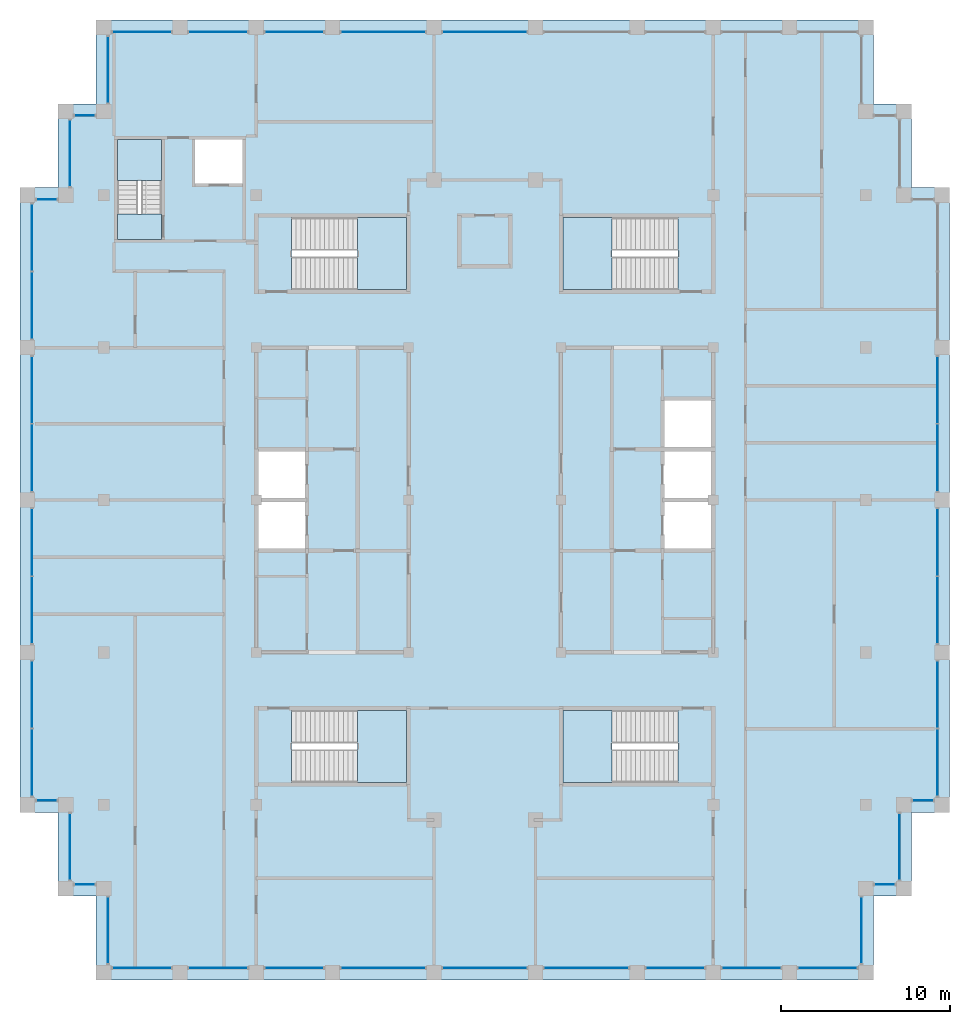
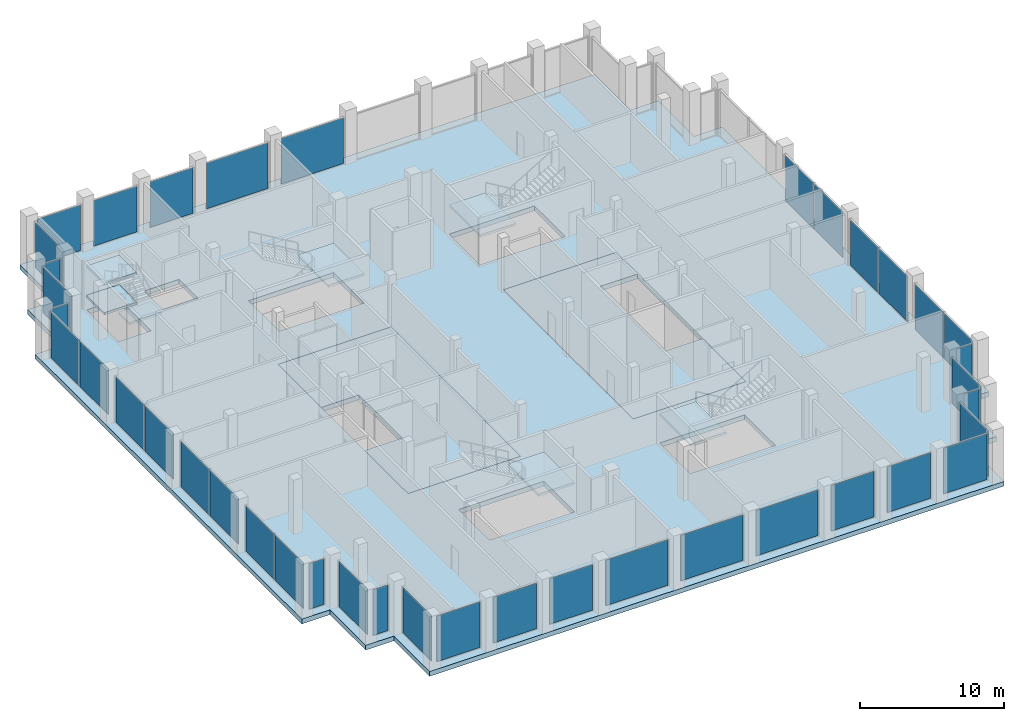
# One storey, part 6 of 12: 40 plates, 10 slabs, 38 elements without a shape of their own.
"""IFC4 building model written with IfcOpenShell, lengths in metres."""

from ifc_helpers import new_model, si_unit, direction, frame, origin, origin_2d, place, context, subcontext, project, spatial, polyline, rectangle, outline, extrude, material, layer, layer_set, type_object, element, aggregate, save


model = new_model("IFC4")

# Units and contexts
model_context = context("Model", 3, precision=1e-05, world=origin(), true_north=direction((0.0, 1.0)))
body_context = subcontext(model_context, "Body", "Model", "MODEL_VIEW")
ifc_project = project(units=[si_unit("LENGTHUNIT", "METRE"), si_unit("AREAUNIT", "SQUARE_METRE"), si_unit("VOLUMEUNIT", "CUBIC_METRE"), si_unit("PLANEANGLEUNIT", "RADIAN"), si_unit("MASSUNIT", "GRAM", prefix="KILO")], contexts=[model_context])

# Site, building, storey
site_placement = place(None, origin())
site = spatial("IfcSite", under=ifc_project, at=site_placement, CompositionType="ELEMENT")
building_placement = place(site_placement, origin())
building = spatial("IfcBuilding", under=site, at=building_placement, Name="Corbelhall Arena Tower", CompositionType="ELEMENT")
storey_placement = place(building_placement, frame((0.0, 0.0, 356.0)))
storey = spatial("IfcBuildingStorey", under=building, at=storey_placement, Name="L78", CompositionType="ELEMENT", Elevation=356.0)

# Curtain wall, plate
ifc_material_1 = material(Name="Aluminium black anodised", Category="aluminium")
ifc_layer_1 = layer(ifc_material_1, 0.179931640625)
ifc_layer_set_1 = layer_set([ifc_layer_1], Name="EV-CW3 Crown glazing")
curtain_wall_type = type_object("IfcCurtainWallType", Name="EV-CW3 Crown glazing", PredefinedType="NOTDEFINED", material=ifc_layer_set_1)
curtain_wall_1_placement = place(storey_placement, origin())
curtain_wall_1 = element("IfcCurtainWall", 1, at=curtain_wall_1_placement, inside=storey, type_object=curtain_wall_type, Name="Curtain wall CW3", PredefinedType="NOTDEFINED")
ifc_material_2 = material(Name="Glass dark tinted laminated", Category="glass")
ifc_layer_2 = layer(ifc_material_2, 0.028076171875)
ifc_layer_set_2 = layer_set([ifc_layer_2], Name="EV-CW3-PANEL")
plate_type = type_object("IfcPlateType", Name="EV-CW3-PANEL", PredefinedType="CURTAIN_PANEL", material=ifc_layer_set_2)
plate_1_placement = place(storey_placement, frame((-24.5, 20.47509765625, 0.074951171875), z_axis=(0.0, 0.0, 1.0), x_axis=(0.0, -1.0, 0.0)))
plate_1 = element("IfcPlate", 2, at=plate_1_placement, type_object=plate_type, Name="CW3 panel 1.1", PredefinedType="CURTAIN_PANEL", context=body_context, shape_type="SweptSolid", body=[
    extrude(rectangle(XDim=3.89990234375, YDim=0.028076171875, at=origin_2d()), origin(), (0.0, 0.0, 1.0), 3.849609375),
])
aggregate(curtain_wall_1, [plate_1])

curtain_wall_2_placement = place(storey_placement, origin())
curtain_wall_2 = element("IfcCurtainWall", 3, at=curtain_wall_2_placement, inside=storey, type_object=curtain_wall_type, Name="Curtain wall CW3B", PredefinedType="NOTDEFINED")
plate_2_placement = place(storey_placement, frame((-25.875, 17.75, 0.074951171875), z_axis=(0.0, 0.0, 1.0), x_axis=(-1.0, 0.0, 0.0)))
plate_2 = element("IfcPlate", 4, at=plate_2_placement, type_object=plate_type, Name="CW3B panel 1.1", PredefinedType="CURTAIN_PANEL", context=body_context, shape_type="SweptSolid", body=[
    extrude(rectangle(XDim=1.199951171875, YDim=0.028076171875, at=origin_2d()), origin(), (0.0, 0.0, 1.0), 3.849609375),
])
aggregate(curtain_wall_2, [plate_2])

# Curtain wall, plates
curtain_wall_3_placement = place(storey_placement, origin())
curtain_wall_3 = element("IfcCurtainWall", 5, at=curtain_wall_3_placement, inside=storey, type_object=curtain_wall_type, Name="Curtain wall CW3", PredefinedType="NOTDEFINED")
plate_3_placement = place(storey_placement, frame((-26.75, 15.50634765625, 0.074951171875), z_axis=(0.0, 0.0, 1.0), x_axis=(0.0, -1.0, 0.0)))
plate_3 = element("IfcPlate", 6, at=plate_3_placement, type_object=plate_type, Name="CW3 panel 1.1", PredefinedType="CURTAIN_PANEL", context=body_context, shape_type="SweptSolid", body=[
    extrude(rectangle(XDim=3.9375, YDim=0.028076171875, at=origin_2d()), origin(), (0.0, 0.0, 1.0), 3.849609375),
])
plate_4_placement = place(storey_placement, frame((-26.75, 11.49365234375, 0.074951171875), z_axis=(0.0, 0.0, 1.0), x_axis=(0.0, -1.0, 0.0)))
plate_4 = element("IfcPlate", 7, at=plate_4_placement, type_object=plate_type, Name="CW3 panel 2.1", PredefinedType="CURTAIN_PANEL", context=body_context, shape_type="SweptSolid", body=[
    extrude(rectangle(XDim=3.9375, YDim=0.028076171875, at=origin_2d()), origin(), (0.0, 0.0, 1.0), 3.849609375),
])
aggregate(curtain_wall_3, [plate_3, plate_4])

curtain_wall_4_placement = place(storey_placement, origin())
curtain_wall_4 = element("IfcCurtainWall", 8, at=curtain_wall_4_placement, inside=storey, type_object=curtain_wall_type, Name="Curtain wall CW3", PredefinedType="NOTDEFINED")
plate_5_placement = place(storey_placement, frame((-26.75, 6.50634765625, 0.074951171875), z_axis=(0.0, 0.0, 1.0), x_axis=(0.0, -1.0, 0.0)))
plate_5 = element("IfcPlate", 9, at=plate_5_placement, type_object=plate_type, Name="CW3 panel 1.1", PredefinedType="CURTAIN_PANEL", context=body_context, shape_type="SweptSolid", body=[
    extrude(rectangle(XDim=3.9375, YDim=0.028076171875, at=origin_2d()), origin(), (0.0, 0.0, 1.0), 3.849609375),
])
plate_6_placement = place(storey_placement, frame((-26.75, 2.49365234375, 0.074951171875), z_axis=(0.0, 0.0, 1.0), x_axis=(0.0, -1.0, 0.0)))
plate_6 = element("IfcPlate", 10, at=plate_6_placement, type_object=plate_type, Name="CW3 panel 2.1", PredefinedType="CURTAIN_PANEL", context=body_context, shape_type="SweptSolid", body=[
    extrude(rectangle(XDim=3.9375, YDim=0.028076171875, at=origin_2d()), origin(), (0.0, 0.0, 1.0), 3.849609375),
])
aggregate(curtain_wall_4, [plate_5, plate_6])

curtain_wall_5_placement = place(storey_placement, origin())
curtain_wall_5 = element("IfcCurtainWall", 11, at=curtain_wall_5_placement, inside=storey, type_object=curtain_wall_type, Name="Curtain wall CW3", PredefinedType="NOTDEFINED")
plate_7_placement = place(storey_placement, frame((-26.75, -2.49365234375, 0.074951171875), z_axis=(0.0, 0.0, 1.0), x_axis=(0.0, -1.0, 0.0)))
plate_7 = element("IfcPlate", 12, at=plate_7_placement, type_object=plate_type, Name="CW3 panel 1.1", PredefinedType="CURTAIN_PANEL", context=body_context, shape_type="SweptSolid", body=[
    extrude(rectangle(XDim=3.9375, YDim=0.028076171875, at=origin_2d()), origin(), (0.0, 0.0, 1.0), 3.849609375),
])
plate_8_placement = place(storey_placement, frame((-26.75, -6.50634765625, 0.074951171875), z_axis=(0.0, 0.0, 1.0), x_axis=(0.0, -1.0, 0.0)))
plate_8 = element("IfcPlate", 13, at=plate_8_placement, type_object=plate_type, Name="CW3 panel 2.1", PredefinedType="CURTAIN_PANEL", context=body_context, shape_type="SweptSolid", body=[
    extrude(rectangle(XDim=3.9375, YDim=0.028076171875, at=origin_2d()), origin(), (0.0, 0.0, 1.0), 3.849609375),
])
aggregate(curtain_wall_5, [plate_7, plate_8])

curtain_wall_6_placement = place(storey_placement, origin())
curtain_wall_6 = element("IfcCurtainWall", 14, at=curtain_wall_6_placement, inside=storey, type_object=curtain_wall_type, Name="Curtain wall CW3", PredefinedType="NOTDEFINED")
plate_9_placement = place(storey_placement, frame((-26.75, -11.49365234375, 0.074951171875), z_axis=(0.0, 0.0, 1.0), x_axis=(0.0, -1.0, 0.0)))
plate_9 = element("IfcPlate", 15, at=plate_9_placement, type_object=plate_type, Name="CW3 panel 1.1", PredefinedType="CURTAIN_PANEL", context=body_context, shape_type="SweptSolid", body=[
    extrude(rectangle(XDim=3.9375, YDim=0.028076171875, at=origin_2d()), origin(), (0.0, 0.0, 1.0), 3.849609375),
])
plate_10_placement = place(storey_placement, frame((-26.75, -15.50634765625, 0.074951171875), z_axis=(0.0, 0.0, 1.0), x_axis=(0.0, -1.0, 0.0)))
plate_10 = element("IfcPlate", 16, at=plate_10_placement, type_object=plate_type, Name="CW3 panel 2.1", PredefinedType="CURTAIN_PANEL", context=body_context, shape_type="SweptSolid", body=[
    extrude(rectangle(XDim=3.9375, YDim=0.028076171875, at=origin_2d()), origin(), (0.0, 0.0, 1.0), 3.849609375),
])
aggregate(curtain_wall_6, [plate_9, plate_10])

# Curtain wall, plate
curtain_wall_7_placement = place(storey_placement, origin())
curtain_wall_7 = element("IfcCurtainWall", 17, at=curtain_wall_7_placement, inside=storey, type_object=curtain_wall_type, Name="Curtain wall CW3B", PredefinedType="NOTDEFINED")
plate_11_placement = place(storey_placement, frame((-25.875, -17.75, 0.074951171875), z_axis=(0.0, 0.0, 1.0), x_axis=(1.0, 0.0, 0.0)))
plate_11 = element("IfcPlate", 18, at=plate_11_placement, type_object=plate_type, Name="CW3B panel 1.1", PredefinedType="CURTAIN_PANEL", context=body_context, shape_type="SweptSolid", body=[
    extrude(rectangle(XDim=1.199951171875, YDim=0.028076171875, at=origin_2d()), origin(), (0.0, 0.0, 1.0), 3.849609375),
])
aggregate(curtain_wall_7, [plate_11])

curtain_wall_8_placement = place(storey_placement, origin())
curtain_wall_8 = element("IfcCurtainWall", 19, at=curtain_wall_8_placement, inside=storey, type_object=curtain_wall_type, Name="Curtain wall CW3", PredefinedType="NOTDEFINED")
plate_12_placement = place(storey_placement, frame((-24.5, -20.47509765625, 0.074951171875), z_axis=(0.0, 0.0, 1.0), x_axis=(0.0, -1.0, 0.0)))
plate_12 = element("IfcPlate", 20, at=plate_12_placement, type_object=plate_type, Name="CW3 panel 1.1", PredefinedType="CURTAIN_PANEL", context=body_context, shape_type="SweptSolid", body=[
    extrude(rectangle(XDim=3.89990234375, YDim=0.028076171875, at=origin_2d()), origin(), (0.0, 0.0, 1.0), 3.849609375),
])
aggregate(curtain_wall_8, [plate_12])

curtain_wall_9_placement = place(storey_placement, origin())
curtain_wall_9 = element("IfcCurtainWall", 21, at=curtain_wall_9_placement, inside=storey, type_object=curtain_wall_type, Name="Curtain wall CW3B", PredefinedType="NOTDEFINED")
plate_13_placement = place(storey_placement, frame((-23.625, -22.699951171875, 0.074951171875), z_axis=(0.0, 0.0, 1.0), x_axis=(1.0, 0.0, 0.0)))
plate_13 = element("IfcPlate", 22, at=plate_13_placement, type_object=plate_type, Name="CW3B panel 1.1", PredefinedType="CURTAIN_PANEL", context=body_context, shape_type="SweptSolid", body=[
    extrude(rectangle(XDim=1.199951171875, YDim=0.028076171875, at=origin_2d()), origin(), (0.0, 0.0, 1.0), 3.849609375),
])
aggregate(curtain_wall_9, [plate_13])

curtain_wall_10_placement = place(storey_placement, origin())
curtain_wall_10 = element("IfcCurtainWall", 23, at=curtain_wall_10_placement, inside=storey, type_object=curtain_wall_type, Name="Curtain wall CW3", PredefinedType="NOTDEFINED")
plate_14_placement = place(storey_placement, frame((-22.25, -25.425048828125, 0.074951171875), z_axis=(0.0, 0.0, 1.0), x_axis=(0.0, -1.0, 0.0)))
plate_14 = element("IfcPlate", 24, at=plate_14_placement, type_object=plate_type, Name="CW3 panel 1.1", PredefinedType="CURTAIN_PANEL", context=body_context, shape_type="SweptSolid", body=[
    extrude(rectangle(XDim=3.89990234375, YDim=0.028076171875, at=origin_2d()), origin(), (0.0, 0.0, 1.0), 3.849609375),
])
aggregate(curtain_wall_10, [plate_14])

curtain_wall_11_placement = place(storey_placement, origin())
curtain_wall_11 = element("IfcCurtainWall", 25, at=curtain_wall_11_placement, inside=storey, type_object=curtain_wall_type, Name="Curtain wall CW3A", PredefinedType="NOTDEFINED")
plate_15_placement = place(storey_placement, frame((-20.25, -27.64990234375, 0.074951171875), z_axis=(0.0, 0.0, 1.0), x_axis=(1.0, 0.0, 0.0)))
plate_15 = element("IfcPlate", 26, at=plate_15_placement, type_object=plate_type, Name="CW3A panel 1.1", PredefinedType="CURTAIN_PANEL", context=body_context, shape_type="SweptSolid", body=[
    extrude(rectangle(XDim=3.449951171875, YDim=0.028076171875, at=origin_2d()), origin(), (0.0, 0.0, 1.0), 3.849609375),
])
aggregate(curtain_wall_11, [plate_15])

curtain_wall_12_placement = place(storey_placement, origin())
curtain_wall_12 = element("IfcCurtainWall", 27, at=curtain_wall_12_placement, inside=storey, type_object=curtain_wall_type, Name="Curtain wall CW3A", PredefinedType="NOTDEFINED")
plate_16_placement = place(storey_placement, frame((-15.75, -27.64990234375, 0.074951171875), z_axis=(0.0, 0.0, 1.0), x_axis=(1.0, 0.0, 0.0)))
plate_16 = element("IfcPlate", 28, at=plate_16_placement, type_object=plate_type, Name="CW3A panel 1.1", PredefinedType="CURTAIN_PANEL", context=body_context, shape_type="SweptSolid", body=[
    extrude(rectangle(XDim=3.449951171875, YDim=0.028076171875, at=origin_2d()), origin(), (0.0, 0.0, 1.0), 3.849609375),
])
aggregate(curtain_wall_12, [plate_16])

curtain_wall_13_placement = place(storey_placement, origin())
curtain_wall_13 = element("IfcCurtainWall", 29, at=curtain_wall_13_placement, inside=storey, type_object=curtain_wall_type, Name="Curtain wall CW3A", PredefinedType="NOTDEFINED")
plate_17_placement = place(storey_placement, frame((-11.25, -27.64990234375, 0.074951171875), z_axis=(0.0, 0.0, 1.0), x_axis=(1.0, 0.0, 0.0)))
plate_17 = element("IfcPlate", 30, at=plate_17_placement, type_object=plate_type, Name="CW3A panel 1.1", PredefinedType="CURTAIN_PANEL", context=body_context, shape_type="SweptSolid", body=[
    extrude(rectangle(XDim=3.449951171875, YDim=0.028076171875, at=origin_2d()), origin(), (0.0, 0.0, 1.0), 3.849609375),
])
aggregate(curtain_wall_13, [plate_17])

curtain_wall_14_placement = place(storey_placement, origin())
curtain_wall_14 = element("IfcCurtainWall", 31, at=curtain_wall_14_placement, inside=storey, type_object=curtain_wall_type, Name="Curtain wall CW3C", PredefinedType="NOTDEFINED")
plate_18_placement = place(storey_placement, frame((-6.0, -27.64990234375, 0.074951171875), z_axis=(0.0, 0.0, 1.0), x_axis=(1.0, 0.0, 0.0)))
plate_18 = element("IfcPlate", 32, at=plate_18_placement, type_object=plate_type, Name="CW3C panel 1.1", PredefinedType="CURTAIN_PANEL", context=body_context, shape_type="SweptSolid", body=[
    extrude(rectangle(XDim=4.949951171875, YDim=0.028076171875, at=origin_2d()), origin(), (0.0, 0.0, 1.0), 3.849609375),
])
aggregate(curtain_wall_14, [plate_18])

curtain_wall_15_placement = place(storey_placement, origin())
curtain_wall_15 = element("IfcCurtainWall", 33, at=curtain_wall_15_placement, inside=storey, type_object=curtain_wall_type, Name="Curtain wall CW3C", PredefinedType="NOTDEFINED")
plate_19_placement = place(storey_placement, frame((0.0, -27.64990234375, 0.074951171875), z_axis=(0.0, 0.0, 1.0), x_axis=(1.0, 0.0, 0.0)))
plate_19 = element("IfcPlate", 34, at=plate_19_placement, type_object=plate_type, Name="CW3C panel 1.1", PredefinedType="CURTAIN_PANEL", context=body_context, shape_type="SweptSolid", body=[
    extrude(rectangle(XDim=4.949951171875, YDim=0.028076171875, at=origin_2d()), origin(), (0.0, 0.0, 1.0), 3.849609375),
])
aggregate(curtain_wall_15, [plate_19])

curtain_wall_16_placement = place(storey_placement, origin())
curtain_wall_16 = element("IfcCurtainWall", 35, at=curtain_wall_16_placement, inside=storey, type_object=curtain_wall_type, Name="Curtain wall CW3C", PredefinedType="NOTDEFINED")
plate_20_placement = place(storey_placement, frame((6.0, -27.64990234375, 0.074951171875), z_axis=(0.0, 0.0, 1.0), x_axis=(1.0, 0.0, 0.0)))
plate_20 = element("IfcPlate", 36, at=plate_20_placement, type_object=plate_type, Name="CW3C panel 1.1", PredefinedType="CURTAIN_PANEL", context=body_context, shape_type="SweptSolid", body=[
    extrude(rectangle(XDim=4.949951171875, YDim=0.028076171875, at=origin_2d()), origin(), (0.0, 0.0, 1.0), 3.849609375),
])
aggregate(curtain_wall_16, [plate_20])

curtain_wall_17_placement = place(storey_placement, origin())
curtain_wall_17 = element("IfcCurtainWall", 37, at=curtain_wall_17_placement, inside=storey, type_object=curtain_wall_type, Name="Curtain wall CW3A", PredefinedType="NOTDEFINED")
plate_21_placement = place(storey_placement, frame((11.25, -27.64990234375, 0.074951171875), z_axis=(0.0, 0.0, 1.0), x_axis=(1.0, 0.0, 0.0)))
plate_21 = element("IfcPlate", 38, at=plate_21_placement, type_object=plate_type, Name="CW3A panel 1.1", PredefinedType="CURTAIN_PANEL", context=body_context, shape_type="SweptSolid", body=[
    extrude(rectangle(XDim=3.449951171875, YDim=0.028076171875, at=origin_2d()), origin(), (0.0, 0.0, 1.0), 3.849609375),
])
aggregate(curtain_wall_17, [plate_21])

curtain_wall_18_placement = place(storey_placement, origin())
curtain_wall_18 = element("IfcCurtainWall", 39, at=curtain_wall_18_placement, inside=storey, type_object=curtain_wall_type, Name="Curtain wall CW3A", PredefinedType="NOTDEFINED")
plate_22_placement = place(storey_placement, frame((15.75, -27.64990234375, 0.074951171875), z_axis=(0.0, 0.0, 1.0), x_axis=(1.0, 0.0, 0.0)))
plate_22 = element("IfcPlate", 40, at=plate_22_placement, type_object=plate_type, Name="CW3A panel 1.1", PredefinedType="CURTAIN_PANEL", context=body_context, shape_type="SweptSolid", body=[
    extrude(rectangle(XDim=3.449951171875, YDim=0.028076171875, at=origin_2d()), origin(), (0.0, 0.0, 1.0), 3.849609375),
])
aggregate(curtain_wall_18, [plate_22])

curtain_wall_19_placement = place(storey_placement, origin())
curtain_wall_19 = element("IfcCurtainWall", 41, at=curtain_wall_19_placement, inside=storey, type_object=curtain_wall_type, Name="Curtain wall CW3A", PredefinedType="NOTDEFINED")
plate_23_placement = place(storey_placement, frame((20.25, -27.64990234375, 0.074951171875), z_axis=(0.0, 0.0, 1.0), x_axis=(1.0, 0.0, 0.0)))
plate_23 = element("IfcPlate", 42, at=plate_23_placement, type_object=plate_type, Name="CW3A panel 1.1", PredefinedType="CURTAIN_PANEL", context=body_context, shape_type="SweptSolid", body=[
    extrude(rectangle(XDim=3.449951171875, YDim=0.028076171875, at=origin_2d()), origin(), (0.0, 0.0, 1.0), 3.849609375),
])
aggregate(curtain_wall_19, [plate_23])

curtain_wall_20_placement = place(storey_placement, origin())
curtain_wall_20 = element("IfcCurtainWall", 43, at=curtain_wall_20_placement, inside=storey, type_object=curtain_wall_type, Name="Curtain wall CW3", PredefinedType="NOTDEFINED")
plate_24_placement = place(storey_placement, frame((22.25, -25.425048828125, 0.074951171875), z_axis=(0.0, 0.0, 1.0), x_axis=(0.0, 1.0, 0.0)))
plate_24 = element("IfcPlate", 44, at=plate_24_placement, type_object=plate_type, Name="CW3 panel 1.1", PredefinedType="CURTAIN_PANEL", context=body_context, shape_type="SweptSolid", body=[
    extrude(rectangle(XDim=3.89990234375, YDim=0.028076171875, at=origin_2d()), origin(), (0.0, 0.0, 1.0), 3.849609375),
])
aggregate(curtain_wall_20, [plate_24])

curtain_wall_21_placement = place(storey_placement, origin())
curtain_wall_21 = element("IfcCurtainWall", 45, at=curtain_wall_21_placement, inside=storey, type_object=curtain_wall_type, Name="Curtain wall CW3B", PredefinedType="NOTDEFINED")
plate_25_placement = place(storey_placement, frame((23.625, -22.699951171875, 0.074951171875), z_axis=(0.0, 0.0, 1.0), x_axis=(1.0, 0.0, 0.0)))
plate_25 = element("IfcPlate", 46, at=plate_25_placement, type_object=plate_type, Name="CW3B panel 1.1", PredefinedType="CURTAIN_PANEL", context=body_context, shape_type="SweptSolid", body=[
    extrude(rectangle(XDim=1.199951171875, YDim=0.028076171875, at=origin_2d()), origin(), (0.0, 0.0, 1.0), 3.849609375),
])
aggregate(curtain_wall_21, [plate_25])

curtain_wall_22_placement = place(storey_placement, origin())
curtain_wall_22 = element("IfcCurtainWall", 47, at=curtain_wall_22_placement, inside=storey, type_object=curtain_wall_type, Name="Curtain wall CW3", PredefinedType="NOTDEFINED")
plate_26_placement = place(storey_placement, frame((24.5, -20.47509765625, 0.074951171875), z_axis=(0.0, 0.0, 1.0), x_axis=(0.0, 1.0, 0.0)))
plate_26 = element("IfcPlate", 48, at=plate_26_placement, type_object=plate_type, Name="CW3 panel 1.1", PredefinedType="CURTAIN_PANEL", context=body_context, shape_type="SweptSolid", body=[
    extrude(rectangle(XDim=3.89990234375, YDim=0.028076171875, at=origin_2d()), origin(), (0.0, 0.0, 1.0), 3.849609375),
])
aggregate(curtain_wall_22, [plate_26])

curtain_wall_23_placement = place(storey_placement, origin())
curtain_wall_23 = element("IfcCurtainWall", 49, at=curtain_wall_23_placement, inside=storey, type_object=curtain_wall_type, Name="Curtain wall CW3B", PredefinedType="NOTDEFINED")
plate_27_placement = place(storey_placement, frame((25.875, -17.75, 0.074951171875), z_axis=(0.0, 0.0, 1.0), x_axis=(1.0, 0.0, 0.0)))
plate_27 = element("IfcPlate", 50, at=plate_27_placement, type_object=plate_type, Name="CW3B panel 1.1", PredefinedType="CURTAIN_PANEL", context=body_context, shape_type="SweptSolid", body=[
    extrude(rectangle(XDim=1.199951171875, YDim=0.028076171875, at=origin_2d()), origin(), (0.0, 0.0, 1.0), 3.849609375),
])
aggregate(curtain_wall_23, [plate_27])

# Curtain wall, plates
curtain_wall_24_placement = place(storey_placement, origin())
curtain_wall_24 = element("IfcCurtainWall", 51, at=curtain_wall_24_placement, inside=storey, type_object=curtain_wall_type, Name="Curtain wall CW3", PredefinedType="NOTDEFINED")
plate_28_placement = place(storey_placement, frame((26.75, -15.50634765625, 0.074951171875), z_axis=(0.0, 0.0, 1.0), x_axis=(0.0, 1.0, 0.0)))
plate_28 = element("IfcPlate", 52, at=plate_28_placement, type_object=plate_type, Name="CW3 panel 1.1", PredefinedType="CURTAIN_PANEL", context=body_context, shape_type="SweptSolid", body=[
    extrude(rectangle(XDim=3.9375, YDim=0.028076171875, at=origin_2d()), origin(), (0.0, 0.0, 1.0), 3.849609375),
])
plate_29_placement = place(storey_placement, frame((26.75, -11.49365234375, 0.074951171875), z_axis=(0.0, 0.0, 1.0), x_axis=(0.0, 1.0, 0.0)))
plate_29 = element("IfcPlate", 53, at=plate_29_placement, type_object=plate_type, Name="CW3 panel 2.1", PredefinedType="CURTAIN_PANEL", context=body_context, shape_type="SweptSolid", body=[
    extrude(rectangle(XDim=3.9375, YDim=0.028076171875, at=origin_2d()), origin(), (0.0, 0.0, 1.0), 3.849609375),
])
aggregate(curtain_wall_24, [plate_28, plate_29])

curtain_wall_25_placement = place(storey_placement, origin())
curtain_wall_25 = element("IfcCurtainWall", 54, at=curtain_wall_25_placement, inside=storey, type_object=curtain_wall_type, Name="Curtain wall CW3", PredefinedType="NOTDEFINED")
plate_30_placement = place(storey_placement, frame((26.75, -6.50634765625, 0.074951171875), z_axis=(0.0, 0.0, 1.0), x_axis=(0.0, 1.0, 0.0)))
plate_30 = element("IfcPlate", 55, at=plate_30_placement, type_object=plate_type, Name="CW3 panel 1.1", PredefinedType="CURTAIN_PANEL", context=body_context, shape_type="SweptSolid", body=[
    extrude(rectangle(XDim=3.9375, YDim=0.028076171875, at=origin_2d()), origin(), (0.0, 0.0, 1.0), 3.849609375),
])
plate_31_placement = place(storey_placement, frame((26.75, -2.49365234375, 0.074951171875), z_axis=(0.0, 0.0, 1.0), x_axis=(0.0, 1.0, 0.0)))
plate_31 = element("IfcPlate", 56, at=plate_31_placement, type_object=plate_type, Name="CW3 panel 2.1", PredefinedType="CURTAIN_PANEL", context=body_context, shape_type="SweptSolid", body=[
    extrude(rectangle(XDim=3.9375, YDim=0.028076171875, at=origin_2d()), origin(), (0.0, 0.0, 1.0), 3.849609375),
])
aggregate(curtain_wall_25, [plate_30, plate_31])

curtain_wall_26_placement = place(storey_placement, origin())
curtain_wall_26 = element("IfcCurtainWall", 57, at=curtain_wall_26_placement, inside=storey, type_object=curtain_wall_type, Name="Curtain wall CW3", PredefinedType="NOTDEFINED")
plate_32_placement = place(storey_placement, frame((26.75, 2.49365234375, 0.074951171875), z_axis=(0.0, 0.0, 1.0), x_axis=(0.0, 1.0, 0.0)))
plate_32 = element("IfcPlate", 58, at=plate_32_placement, type_object=plate_type, Name="CW3 panel 1.1", PredefinedType="CURTAIN_PANEL", context=body_context, shape_type="SweptSolid", body=[
    extrude(rectangle(XDim=3.9375, YDim=0.028076171875, at=origin_2d()), origin(), (0.0, 0.0, 1.0), 3.849609375),
])
plate_33_placement = place(storey_placement, frame((26.75, 6.50634765625, 0.074951171875), z_axis=(0.0, 0.0, 1.0), x_axis=(0.0, 1.0, 0.0)))
plate_33 = element("IfcPlate", 59, at=plate_33_placement, type_object=plate_type, Name="CW3 panel 2.1", PredefinedType="CURTAIN_PANEL", context=body_context, shape_type="SweptSolid", body=[
    extrude(rectangle(XDim=3.9375, YDim=0.028076171875, at=origin_2d()), origin(), (0.0, 0.0, 1.0), 3.849609375),
])
aggregate(curtain_wall_26, [plate_32, plate_33])

# Curtain wall, plate
curtain_wall_27_placement = place(storey_placement, origin())
curtain_wall_27 = element("IfcCurtainWall", 60, at=curtain_wall_27_placement, inside=storey, type_object=curtain_wall_type, Name="Curtain wall CW3C", PredefinedType="NOTDEFINED")
plate_34_placement = place(storey_placement, frame((0.0, 27.64990234375, 0.074951171875), z_axis=(0.0, 0.0, 1.0), x_axis=(-1.0, 0.0, 0.0)))
plate_34 = element("IfcPlate", 61, at=plate_34_placement, type_object=plate_type, Name="CW3C panel 1.1", PredefinedType="CURTAIN_PANEL", context=body_context, shape_type="SweptSolid", body=[
    extrude(rectangle(XDim=4.949951171875, YDim=0.028076171875, at=origin_2d()), origin(), (0.0, 0.0, 1.0), 3.849609375),
])
aggregate(curtain_wall_27, [plate_34])

curtain_wall_28_placement = place(storey_placement, origin())
curtain_wall_28 = element("IfcCurtainWall", 62, at=curtain_wall_28_placement, inside=storey, type_object=curtain_wall_type, Name="Curtain wall CW3C", PredefinedType="NOTDEFINED")
plate_35_placement = place(storey_placement, frame((-6.0, 27.64990234375, 0.074951171875), z_axis=(0.0, 0.0, 1.0), x_axis=(-1.0, 0.0, 0.0)))
plate_35 = element("IfcPlate", 63, at=plate_35_placement, type_object=plate_type, Name="CW3C panel 1.1", PredefinedType="CURTAIN_PANEL", context=body_context, shape_type="SweptSolid", body=[
    extrude(rectangle(XDim=4.949951171875, YDim=0.028076171875, at=origin_2d()), origin(), (0.0, 0.0, 1.0), 3.849609375),
])
aggregate(curtain_wall_28, [plate_35])

curtain_wall_29_placement = place(storey_placement, origin())
curtain_wall_29 = element("IfcCurtainWall", 64, at=curtain_wall_29_placement, inside=storey, type_object=curtain_wall_type, Name="Curtain wall CW3A", PredefinedType="NOTDEFINED")
plate_36_placement = place(storey_placement, frame((-11.25, 27.64990234375, 0.074951171875), z_axis=(0.0, 0.0, 1.0), x_axis=(-1.0, 0.0, 0.0)))
plate_36 = element("IfcPlate", 65, at=plate_36_placement, type_object=plate_type, Name="CW3A panel 1.1", PredefinedType="CURTAIN_PANEL", context=body_context, shape_type="SweptSolid", body=[
    extrude(rectangle(XDim=3.449951171875, YDim=0.028076171875, at=origin_2d()), origin(), (0.0, 0.0, 1.0), 3.849609375),
])
aggregate(curtain_wall_29, [plate_36])

curtain_wall_30_placement = place(storey_placement, origin())
curtain_wall_30 = element("IfcCurtainWall", 66, at=curtain_wall_30_placement, inside=storey, type_object=curtain_wall_type, Name="Curtain wall CW3A", PredefinedType="NOTDEFINED")
plate_37_placement = place(storey_placement, frame((-15.75, 27.64990234375, 0.074951171875), z_axis=(0.0, 0.0, 1.0), x_axis=(-1.0, 0.0, 0.0)))
plate_37 = element("IfcPlate", 67, at=plate_37_placement, type_object=plate_type, Name="CW3A panel 1.1", PredefinedType="CURTAIN_PANEL", context=body_context, shape_type="SweptSolid", body=[
    extrude(rectangle(XDim=3.449951171875, YDim=0.028076171875, at=origin_2d()), origin(), (0.0, 0.0, 1.0), 3.849609375),
])
aggregate(curtain_wall_30, [plate_37])

curtain_wall_31_placement = place(storey_placement, origin())
curtain_wall_31 = element("IfcCurtainWall", 68, at=curtain_wall_31_placement, inside=storey, type_object=curtain_wall_type, Name="Curtain wall CW3A", PredefinedType="NOTDEFINED")
plate_38_placement = place(storey_placement, frame((-20.25, 27.64990234375, 0.074951171875), z_axis=(0.0, 0.0, 1.0), x_axis=(-1.0, 0.0, 0.0)))
plate_38 = element("IfcPlate", 69, at=plate_38_placement, type_object=plate_type, Name="CW3A panel 1.1", PredefinedType="CURTAIN_PANEL", context=body_context, shape_type="SweptSolid", body=[
    extrude(rectangle(XDim=3.449951171875, YDim=0.028076171875, at=origin_2d()), origin(), (0.0, 0.0, 1.0), 3.849609375),
])
aggregate(curtain_wall_31, [plate_38])

curtain_wall_32_placement = place(storey_placement, origin())
curtain_wall_32 = element("IfcCurtainWall", 70, at=curtain_wall_32_placement, inside=storey, type_object=curtain_wall_type, Name="Curtain wall CW3", PredefinedType="NOTDEFINED")
plate_39_placement = place(storey_placement, frame((-22.25, 25.425048828125, 0.074951171875), z_axis=(0.0, 0.0, 1.0), x_axis=(0.0, -1.0, 0.0)))
plate_39 = element("IfcPlate", 71, at=plate_39_placement, type_object=plate_type, Name="CW3 panel 1.1", PredefinedType="CURTAIN_PANEL", context=body_context, shape_type="SweptSolid", body=[
    extrude(rectangle(XDim=3.89990234375, YDim=0.028076171875, at=origin_2d()), origin(), (0.0, 0.0, 1.0), 3.849609375),
])
aggregate(curtain_wall_32, [plate_39])

curtain_wall_33_placement = place(storey_placement, origin())
curtain_wall_33 = element("IfcCurtainWall", 72, at=curtain_wall_33_placement, inside=storey, type_object=curtain_wall_type, Name="Curtain wall CW3B", PredefinedType="NOTDEFINED")
plate_40_placement = place(storey_placement, frame((-23.625, 22.699951171875, 0.074951171875), z_axis=(0.0, 0.0, 1.0), x_axis=(-1.0, 0.0, 0.0)))
plate_40 = element("IfcPlate", 73, at=plate_40_placement, type_object=plate_type, Name="CW3B panel 1.1", PredefinedType="CURTAIN_PANEL", context=body_context, shape_type="SweptSolid", body=[
    extrude(rectangle(XDim=1.199951171875, YDim=0.028076171875, at=origin_2d()), origin(), (0.0, 0.0, 1.0), 3.849609375),
])
aggregate(curtain_wall_33, [plate_40])

# Slabs
ifc_material_3 = material(Name="Concrete C40/50", Category="concrete")
ifc_layer_3 = layer(ifc_material_3, 0.300048828125)
ifc_layer_set_3 = layer_set([ifc_layer_3], Name="IN-SL-CORE")
slab_type_1 = type_object("IfcSlabType", Name="IN-SL-CORE", PredefinedType="FLOOR", material=ifc_layer_set_3)
slab_1_placement = place(storey_placement, frame((0.0, 0.0, -0.400390625)))
element("IfcSlab", 74, at=slab_1_placement, inside=storey, type_object=slab_type_1, Name="Core floor W", PredefinedType="FLOOR", context=body_context, shape_type="SweptSolid", body=[
    extrude(outline(polyline([(-4.5, 9.0), (-13.5, 9.0), (-13.5, 3.0), (-10.5, 3.0), (-10.5, 0.0), (-10.5, -3.0), (-13.5, -3.0), (-13.5, -9.0), (-4.5, -9.0), (-4.5, 9.0)])), origin(), (0.0, 0.0, 1.0), 0.400390625),
])
slab_2_placement = place(storey_placement, frame((0.0, 0.0, -0.400390625)))
element("IfcSlab", 75, at=slab_2_placement, inside=storey, type_object=slab_type_1, Name="Core floor E", PredefinedType="FLOOR", context=body_context, shape_type="SweptSolid", body=[
    extrude(outline(polyline([(4.5, 9.0), (4.5, -9.0), (13.5, -9.0), (13.5, -3.0), (10.5, -3.0), (10.5, 0.0), (10.5, 3.0), (10.5, 6.0), (13.5, 6.0), (13.5, 9.0), (4.5, 9.0)])), origin(), (0.0, 0.0, 1.0), 0.400390625),
])

# Stair, slab
stair_type = type_object("IfcStairType", Name="IN-ST-TOWER", PredefinedType="HALF_TURN_STAIR", material=ifc_material_3)
stair_1_placement = place(storey_placement, origin())
stair_1 = element("IfcStair", 76, at=stair_1_placement, inside=storey, type_object=stair_type, Name="L78 Exit stair ST1", PredefinedType="HALF_TURN_STAIR")
ifc_layer_4 = layer(ifc_material_3, 0.199951171875)
ifc_layer_set_4 = layer_set([ifc_layer_4], Name="IN-SL-LANDING")
slab_type_2 = type_object("IfcSlabType", Name="IN-SL-LANDING", PredefinedType="LANDING", material=ifc_layer_set_4)
slab_3_placement = place(storey_placement, frame((0.0, 0.0, 2.300048828125)))
slab_3 = element("IfcSlab", 77, at=slab_3_placement, type_object=slab_type_2, Name="ST1 landing 1", PredefinedType="LANDING", context=body_context, shape_type="SweptSolid", body=[
    extrude(outline(polyline([(-7.5048828125, 12.425048828125), (-4.625, 12.425048828125), (-4.625, 16.675048828125), (-7.5048828125, 16.675048828125), (-7.5048828125, 12.425048828125)])), origin(), (0.0, 0.0, 1.0), 0.199951171875),
])
aggregate(stair_1, [slab_3])

stair_2_placement = place(storey_placement, origin())
stair_2 = element("IfcStair", 78, at=stair_2_placement, inside=storey, type_object=stair_type, Name="L78 Exit stair ST2", PredefinedType="HALF_TURN_STAIR")
slab_4_placement = place(storey_placement, frame((0.0, 0.0, 2.300048828125)))
slab_4 = element("IfcSlab", 79, at=slab_4_placement, type_object=slab_type_2, Name="ST2 landing 1", PredefinedType="LANDING", context=body_context, shape_type="SweptSolid", body=[
    extrude(outline(polyline([(-7.5048828125, -16.675048828125), (-4.625, -16.675048828125), (-4.625, -12.425048828125), (-7.5048828125, -12.425048828125), (-7.5048828125, -16.675048828125)])), origin(), (0.0, 0.0, 1.0), 0.199951171875),
])
aggregate(stair_2, [slab_4])

stair_3_placement = place(storey_placement, origin())
stair_3 = element("IfcStair", 80, at=stair_3_placement, inside=storey, type_object=stair_type, Name="L78 Exit stair ST3", PredefinedType="HALF_TURN_STAIR")
slab_5_placement = place(storey_placement, frame((0.0, 0.0, 2.300048828125)))
slab_5 = element("IfcSlab", 81, at=slab_5_placement, type_object=slab_type_2, Name="ST3 landing 1", PredefinedType="LANDING", context=body_context, shape_type="SweptSolid", body=[
    extrude(outline(polyline([(7.5048828125, 16.675048828125), (4.625, 16.675048828125), (4.625, 12.425048828125), (7.5048828125, 12.425048828125), (7.5048828125, 16.675048828125)])), origin(), (0.0, 0.0, 1.0), 0.199951171875),
])
aggregate(stair_3, [slab_5])

stair_4_placement = place(storey_placement, origin())
stair_4 = element("IfcStair", 82, at=stair_4_placement, inside=storey, type_object=stair_type, Name="L78 Exit stair ST4", PredefinedType="HALF_TURN_STAIR")
slab_6_placement = place(storey_placement, frame((0.0, 0.0, 2.300048828125)))
slab_6 = element("IfcSlab", 83, at=slab_6_placement, type_object=slab_type_2, Name="ST4 landing 1", PredefinedType="LANDING", context=body_context, shape_type="SweptSolid", body=[
    extrude(outline(polyline([(7.5048828125, -12.425048828125), (4.625, -12.425048828125), (4.625, -16.675048828125), (7.5048828125, -16.675048828125), (7.5048828125, -12.425048828125)])), origin(), (0.0, 0.0, 1.0), 0.199951171875),
])
aggregate(stair_4, [slab_6])

# Stair, slabs
stair_5_placement = place(storey_placement, origin())
stair_5 = element("IfcStair", 84, at=stair_5_placement, inside=storey, type_object=stair_type, Name="L78 Exit stair ST5", PredefinedType="HALF_TURN_STAIR")
slab_7_placement = place(storey_placement, frame((0.0, 0.0, 1.050048828125)))
slab_7 = element("IfcSlab", 85, at=slab_7_placement, type_object=slab_type_2, Name="ST5 landing 1", PredefinedType="LANDING", context=body_context, shape_type="SweptSolid", body=[
    extrude(outline(polyline([(-19.094970703125, 18.860107421875), (-19.094970703125, 21.300048828125), (-21.695068359375, 21.300048828125), (-21.695068359375, 18.860107421875), (-19.094970703125, 18.860107421875)])), origin(), (0.0, 0.0, 1.0), 0.199951171875),
])
slab_8_placement = place(storey_placement, frame((0.0, 0.0, 2.300048828125)))
slab_8 = element("IfcSlab", 86, at=slab_8_placement, type_object=slab_type_2, Name="ST5 landing 2", PredefinedType="LANDING", context=body_context, shape_type="SweptSolid", body=[
    extrude(outline(polyline([(-19.094970703125, 15.39990234375), (-19.094970703125, 16.89990234375), (-21.695068359375, 16.89990234375), (-21.695068359375, 15.39990234375), (-19.094970703125, 15.39990234375)])), origin(), (0.0, 0.0, 1.0), 0.199951171875),
])
slab_9_placement = place(storey_placement, frame((0.0, 0.0, 3.550048828125)))
slab_9 = element("IfcSlab", 87, at=slab_9_placement, type_object=slab_type_2, Name="ST5 landing 3", PredefinedType="LANDING", context=body_context, shape_type="SweptSolid", body=[
    extrude(outline(polyline([(-19.094970703125, 18.860107421875), (-19.094970703125, 21.300048828125), (-21.695068359375, 21.300048828125), (-21.695068359375, 18.860107421875), (-19.094970703125, 18.860107421875)])), origin(), (0.0, 0.0, 1.0), 0.199951171875),
])
aggregate(stair_5, [slab_7, slab_8, slab_9])

# Slab
ifc_layer_5 = layer(ifc_material_3, 0.400390625)
ifc_layer_set_5 = layer_set([ifc_layer_5], Name="ST-SLAB-FLOOR-400")
slab_type_3 = type_object("IfcSlabType", Name="ST-SLAB-FLOOR-400", PredefinedType="FLOOR", material=ifc_layer_set_5)
slab_10_placement = place(storey_placement, frame((0.0, 0.0, -0.400390625)))
element("IfcSlab", 88, at=slab_10_placement, inside=storey, type_object=slab_type_3, Name="Floor slab L78 1", PredefinedType="FLOOR", context=body_context, shape_type="SweptSolid", body=[
    extrude(outline(polyline([(27.449951171875, 18.449951171875), (25.199951171875, 18.449951171875), (25.199951171875, 23.39990234375), (22.949951171875, 23.39990234375), (22.949951171875, 28.35009765625), (-22.949951171875, 28.35009765625), (-22.949951171875, 23.39990234375), (-25.199951171875, 23.39990234375), (-25.199951171875, 18.449951171875), (-27.449951171875, 18.449951171875), (-27.449951171875, -18.449951171875), (-25.199951171875, -18.449951171875), (-25.199951171875, -23.39990234375), (-22.949951171875, -23.39990234375), (-22.949951171875, -28.35009765625), (22.949951171875, -28.35009765625), (22.949951171875, -23.39990234375), (25.199951171875, -23.39990234375), (25.199951171875, -18.449951171875), (27.449951171875, -18.449951171875), (27.449951171875, 18.449951171875)]), holes=[polyline([(-13.5, 9.0), (-13.5, -9.0), (-4.5, -9.0), (-4.5, 9.0), (-13.5, 9.0)]), polyline([(4.5, 9.0), (4.5, -9.0), (13.5, -9.0), (13.5, 9.0), (4.5, 9.0)]), polyline([(-4.625, 16.675048828125), (-11.422119140625, 16.675048828125), (-11.422119140625, 12.425048828125), (-4.625, 12.425048828125), (-4.625, 16.675048828125)]), polyline([(-4.625, -16.675048828125), (-4.625, -12.425048828125), (-11.422119140625, -12.425048828125), (-11.422119140625, -16.675048828125), (-4.625, -16.675048828125)]), polyline([(11.422119140625, 16.675048828125), (4.625, 16.675048828125), (4.625, 12.425048828125), (11.422119140625, 12.425048828125), (11.422119140625, 16.675048828125)]), polyline([(11.422119140625, -16.675048828125), (11.422119140625, -12.425048828125), (4.625, -12.425048828125), (4.625, -16.675048828125), (11.422119140625, -16.675048828125)]), polyline([(-21.695068359375, 21.300048828125), (-21.695068359375, 16.903076171875), (-19.094970703125, 16.903076171875), (-19.094970703125, 21.300048828125), (-21.695068359375, 21.300048828125)]), polyline([(-14.300048828125, 21.300048828125), (-17.10009765625, 21.300048828125), (-17.10009765625, 18.699951171875), (-14.300048828125, 18.699951171875), (-14.300048828125, 21.300048828125)])]), origin(), (0.0, 0.0, 1.0), 0.400390625),
])

save(model, "model.ifc")
